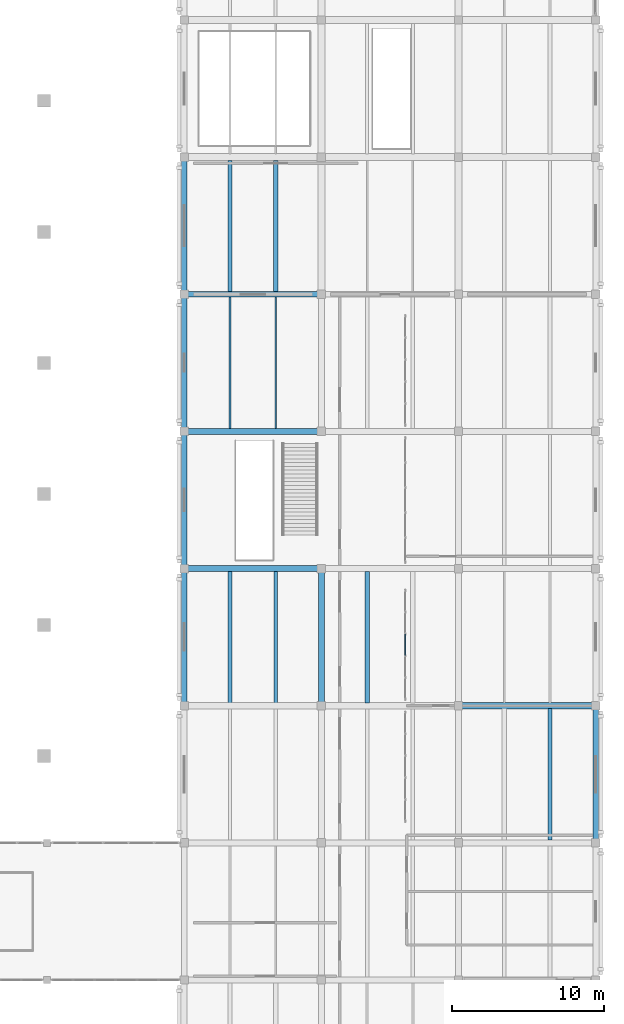
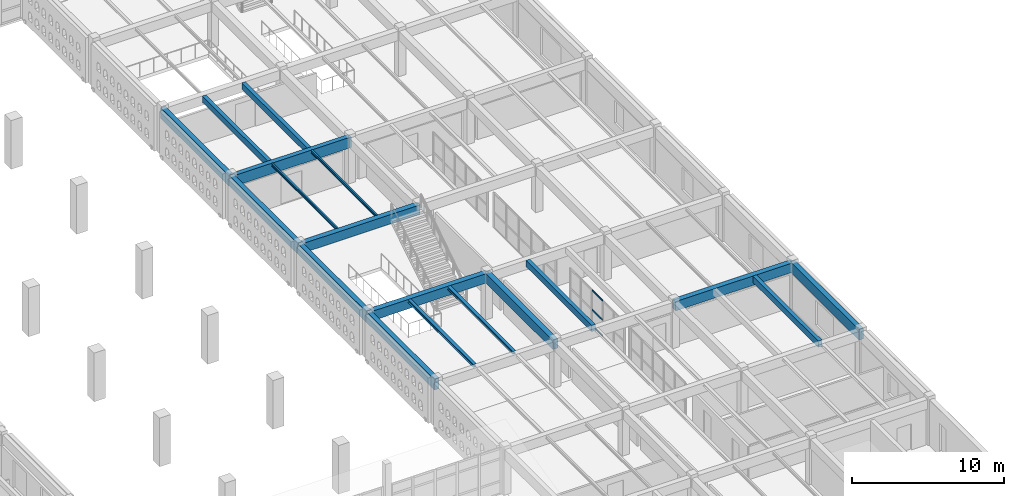
# One storey, part 84 of 156: 18 beams, 3 members, 1 element without a shape of its own.
"""IFC4 building model written with IfcOpenShell, lengths in metres."""

from ifc_helpers import new_model, si_unit, direction, frame, origin, origin_2d, place, context, subcontext, project, spatial, rectangle, hollow_rectangle, i_section, extrude, material, layer, layer_set, material_profile, profile_set, type_object, element, aggregate, save


model = new_model("IFC4")

# Units and contexts
model_context = context("Model", 3, precision=1e-05, world=origin(), true_north=direction((0.0, 1.0)))
body_context = subcontext(model_context, "Body", "Model", "MODEL_VIEW")
ifc_project = project(units=[si_unit("LENGTHUNIT", "METRE"), si_unit("AREAUNIT", "SQUARE_METRE"), si_unit("VOLUMEUNIT", "CUBIC_METRE"), si_unit("PLANEANGLEUNIT", "RADIAN"), si_unit("MASSUNIT", "GRAM", prefix="KILO")], contexts=[model_context])

# Site, building, storey
site_placement = place(None, origin())
site = spatial("IfcSite", under=ifc_project, at=site_placement, CompositionType="ELEMENT")
building_placement = place(site_placement, origin())
building = spatial("IfcBuilding", under=site, at=building_placement, Name="Ornek Quay Market", CompositionType="ELEMENT")
storey_placement = place(building_placement, frame((0.0, 0.0, 4.5)))
storey = spatial("IfcBuildingStorey", under=building, at=storey_placement, Name="L01", CompositionType="ELEMENT", Elevation=4.5)

# Beams
ifc_material_1 = material(Name="Concrete C35/45", Category="concrete")
ifc_material_profile_1 = material_profile(ifc_material_1, rectangle(XDim=0.39990234375, YDim=0.75, at=origin_2d()), Name="RC 400x750", Category="concrete")
ifc_profile_set_1 = profile_set([ifc_material_profile_1], Name="Concrete C35/45")
beam_type_1 = type_object("IfcBeamType", Name="BM-CS-400x750", PredefinedType="BEAM", material=ifc_profile_set_1)
for number, where, z_axis, x_axis, name in (
    (1, (171.0, 38.0, 3.27490234375), (1.0, 0.0, 0.0), (0.0, 1.0, 0.0), "Primary beam B-CS1-036"),
    (2, (153.0, 47.0, 3.27490234375), (1.0, 0.0, 0.0), (0.0, 1.0, 0.0), "Primary beam B-CS1-037"),
    (3, (153.0, 56.0, 3.27490234375), (1.0, 0.0, 0.0), (0.0, 1.0, 0.0), "Primary beam B-CS1-040"),
    (4, (162.0, 38.0, 3.27490234375), (0.0, 1.0, 0.0), (-1.0, 0.0, 0.0), "Primary beam B-CS1-046"),
):
    element("IfcBeam", number, at=place(storey_placement, frame(where, z_axis=z_axis, x_axis=x_axis)), inside=storey, type_object=beam_type_1, Name=name, PredefinedType="BEAM", context=body_context, shape_type="SweptSolid", body=[
        extrude(rectangle(XDim=0.39990234375, YDim=0.75, at=origin_2d()), origin(), (0.0, 0.0, 1.0), 9.0),
    ])
ifc_material_profile_2 = material_profile(ifc_material_1, rectangle(XDim=0.280029296875, YDim=0.5, at=origin_2d()), Name="RC 280x500", Category="concrete")
ifc_profile_set_2 = profile_set([ifc_material_profile_2], Name="Concrete C35/45")
beam_type_2 = type_object("IfcBeamType", Name="BM-SEC-280x500", PredefinedType="JOIST", material=ifc_profile_set_2)
for number, where, z_axis, x_axis, name in (
    (5, (156.0, 65.1669921875, 3.3798828125), (0.0, 1.0, 0.0), (-1.0, 0.0, 0.0), "Secondary joist B-SC2-071"),
    (6, (159.0, 65.1669921875, 3.3798828125), (0.0, 1.0, 0.0), (-1.0, 0.0, 0.0), "Secondary joist B-SC2-072"),
):
    element("IfcBeam", number, at=place(storey_placement, frame(where, z_axis=z_axis, x_axis=x_axis)), inside=storey, type_object=beam_type_2, Name=name, PredefinedType="JOIST", context=body_context, shape_type="SweptSolid", body=[
        extrude(rectangle(XDim=0.280029296875, YDim=0.5, at=origin_2d()), origin(), (0.0, 0.0, 1.0), 8.615966796875),
    ])
for number, where, z_axis, x_axis, name in (
    (7, (165.0, 38.19189453125, 3.39990234375), (0.0, 1.0, 0.0), (-1.0, 0.0, 0.0), "Secondary joist B-SC2-087"),
    (8, (177.0, 29.19189453125, 3.39990234375), (0.0, 1.0, 0.0), (-1.0, 0.0, 0.0), "Secondary joist B-SC2-090"),
):
    element("IfcBeam", number, at=place(storey_placement, frame(where, z_axis=z_axis, x_axis=x_axis)), inside=storey, type_object=beam_type_2, Name=name, PredefinedType="JOIST", context=body_context, shape_type="SweptSolid", body=[
        extrude(rectangle(XDim=0.280029296875, YDim=0.5, at=origin_2d()), origin(), (0.0, 0.0, 1.0), 8.6162109375),
    ])
ifc_material_2 = material(Name="Concrete C40/50", Category="concrete")
ifc_material_profile_3 = material_profile(ifc_material_2, rectangle(XDim=0.35009765625, YDim=0.85009765625, at=origin_2d()), Name="RC 350x850", Category="concrete")
ifc_profile_set_3 = profile_set([ifc_material_profile_3], Name="Concrete C40/50")
beam_type_3 = type_object("IfcBeamType", Name="BM-SPN-350x850", PredefinedType="SPANDREL", material=ifc_profile_set_3)
for number, where, z_axis, x_axis, name in (
    (9, (153.0, 65.0, 3.205078125), (1.0, 0.0, 0.0), (0.0, 1.0, 0.0), "Primary beam B-SP1-101"),
    (10, (153.0, 65.0, 3.205078125), (0.0, 1.0, 0.0), (-1.0, 0.0, 0.0), "Primary beam B-SP1-107"),
    (11, (153.0, 38.0, 3.22509765625), (0.0, 1.0, 0.0), (-1.0, 0.0, 0.0), "Primary beam B-SP1-137"),
    (12, (153.0, 47.0, 3.22509765625), (0.0, 1.0, 0.0), (-1.0, 0.0, 0.0), "Primary beam B-SP1-138"),
    (13, (153.0, 56.0, 3.22509765625), (0.0, 1.0, 0.0), (-1.0, 0.0, 0.0), "Primary beam B-SP1-139"),
    (14, (180.0, 29.0, 3.22509765625), (0.0, 1.0, 0.0), (-1.0, 0.0, 0.0), "Primary beam B-SP1-142"),
):
    element("IfcBeam", number, at=place(storey_placement, frame(where, z_axis=z_axis, x_axis=x_axis)), inside=storey, type_object=beam_type_3, Name=name, PredefinedType="SPANDREL", context=body_context, shape_type="SweptSolid", body=[
        extrude(rectangle(XDim=0.35009765625, YDim=0.85009765625, at=origin_2d()), origin(), (0.0, 0.0, 1.0), 9.0),
    ])
ifc_material_3 = material(Name="Steel S355", Category="steel")
ifc_material_profile_4 = material_profile(ifc_material_3, i_section(OverallWidth=0.239990234375, OverallDepth=0.22998046875, WebThickness=0.007568359375, FlangeThickness=0.011962890625, FilletRadius=0.02099609375, at=origin_2d()), Name="HEA 240", Category="steel")
ifc_profile_set_4 = profile_set([ifc_material_profile_4], Name="Steel S355")
beam_type_4 = type_object("IfcBeamType", Name="BM-STL-HEA240", PredefinedType="BEAM", material=ifc_profile_set_4)
for number, where, z_axis, x_axis, name in (
    (15, (156.0, 38.19189453125, 3.534912109375), (0.0, 1.0, 0.0), (-1.0, 0.0, 0.0), "Secondary joist SB-14-023"),
    (16, (159.0, 38.19189453125, 3.534912109375), (0.0, 1.0, 0.0), (-1.0, 0.0, 0.0), "Secondary joist SB-14-024"),
):
    element("IfcBeam", number, at=place(storey_placement, frame(where, z_axis=z_axis, x_axis=x_axis)), inside=storey, type_object=beam_type_4, Name=name, PredefinedType="BEAM", context=body_context, shape_type="SweptSolid", body=[
        extrude(i_section(OverallWidth=0.239990234375, OverallDepth=0.22998046875, WebThickness=0.007568359375, FlangeThickness=0.011962890625, FilletRadius=0.02099609375, at=origin_2d()), origin(), (0.0, 0.0, 1.0), 8.6162109375),
    ])
ifc_material_profile_5 = material_profile(ifc_material_3, i_section(OverallWidth=0.1201171875, OverallDepth=0.239990234375, WebThickness=0.006103515625, FlangeThickness=0.009765625, FilletRadius=0.014892578125, at=origin_2d()), Name="IPE 240", Category="steel")
ifc_profile_set_5 = profile_set([ifc_material_profile_5], Name="Steel S355")
beam_type_5 = type_object("IfcBeamType", Name="BM-STL-IPE240", PredefinedType="JOIST", material=ifc_profile_set_5)
for number, where, z_axis, x_axis, name in (
    (17, (156.0, 56.19189453125, 3.530029296875), (0.0, 1.0, 0.0), (-1.0, 0.0, 0.0), "Secondary joist SB-04-047"),
    (18, (159.0, 56.19189453125, 3.530029296875), (0.0, 1.0, 0.0), (-1.0, 0.0, 0.0), "Secondary joist SB-04-048"),
):
    element("IfcBeam", number, at=place(storey_placement, frame(where, z_axis=z_axis, x_axis=x_axis)), inside=storey, type_object=beam_type_5, Name=name, PredefinedType="JOIST", context=body_context, shape_type="SweptSolid", body=[
        extrude(i_section(OverallWidth=0.1201171875, OverallDepth=0.239990234375, WebThickness=0.006103515625, FlangeThickness=0.009765625, FilletRadius=0.014892578125, at=origin_2d()), origin(), (0.0, 0.0, 1.0), 8.64111328125),
    ])

# Curtain wall, members
ifc_material_4 = material(Name="Anodised bronze aluminium and triple low-e glass", Category="aluminium")
ifc_layer = layer(ifc_material_4, 0.139892578125, Name="Anodised bronze aluminium and triple low-e glass", Category="aluminium")
ifc_layer_set = layer_set([ifc_layer], Name="Anodised bronze aluminium and triple low-e glass")
curtain_wall_type = type_object("IfcCurtainWallType", Name="CW-GALLERY-INT", PredefinedType="USERDEFINED", material=ifc_layer_set)
curtain_wall_placement = place(storey_placement, origin())
curtain_wall = element("IfcCurtainWall", 19, at=curtain_wall_placement, inside=storey, type_object=curtain_wall_type, Name="Curtain wall CW-164", ObjectType="CURTAIN WALL", PredefinedType="USERDEFINED")
ifc_material_5 = material(Name="Anodised aluminium 6063-T6", Category="aluminium")
ifc_material_profile_6 = material_profile(ifc_material_5, hollow_rectangle(XDim=0.06005859375, YDim=0.1201171875, WallThickness=0.00390625, at=origin_2d()), Name="CW-TRN-60x120", Category="aluminium")
ifc_profile_set_6 = profile_set([ifc_material_profile_6], Name="Anodised aluminium 6063-T6")
member_type = type_object("IfcMemberType", Name="CW-TRN-60x120", PredefinedType="USERDEFINED", material=ifc_profile_set_6)
member_1_placement = place(storey_placement, frame((167.5, 41.31005859375, 0.030029296875), z_axis=(0.0, 1.0, 0.0), x_axis=(-1.0, 0.0, 0.0)))
member_1 = element("IfcMember", 20, at=member_1_placement, type_object=member_type, Name="CW-164 transom 3.1", ObjectType="TRANSOM", PredefinedType="USERDEFINED", context=body_context, shape_type="SweptSolid", body=[
    extrude(hollow_rectangle(XDim=0.06005859375, YDim=0.1201171875, WallThickness=0.00390625, at=origin_2d()), origin(), (0.0, 0.0, 1.0), 1.3798828125),
])
member_2_placement = place(storey_placement, frame((167.5, 41.31005859375, 1.282470703125), z_axis=(0.0, 1.0, 0.0), x_axis=(-1.0, 0.0, 0.0)))
member_2 = element("IfcMember", 21, at=member_2_placement, type_object=member_type, Name="CW-164 transom 3.2", ObjectType="TRANSOM", PredefinedType="USERDEFINED", context=body_context, shape_type="SweptSolid", body=[
    extrude(hollow_rectangle(XDim=0.06005859375, YDim=0.1201171875, WallThickness=0.00390625, at=origin_2d()), origin(), (0.0, 0.0, 1.0), 1.3798828125),
])
member_3_placement = place(storey_placement, frame((167.5, 41.31005859375, 2.820068359375), z_axis=(0.0, 1.0, 0.0), x_axis=(-1.0, 0.0, 0.0)))
member_3 = element("IfcMember", 22, at=member_3_placement, type_object=member_type, Name="CW-164 transom 3.3", ObjectType="TRANSOM", PredefinedType="USERDEFINED", context=body_context, shape_type="SweptSolid", body=[
    extrude(hollow_rectangle(XDim=0.06005859375, YDim=0.1201171875, WallThickness=0.00390625, at=origin_2d()), origin(), (0.0, 0.0, 1.0), 1.3798828125),
])
aggregate(curtain_wall, [member_1, member_2, member_3])

save(model, "model.ifc")
